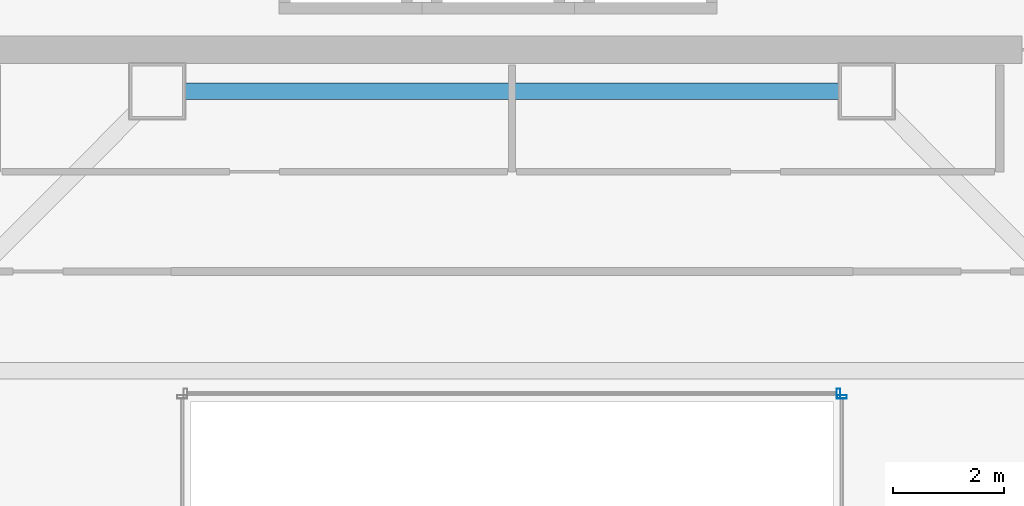
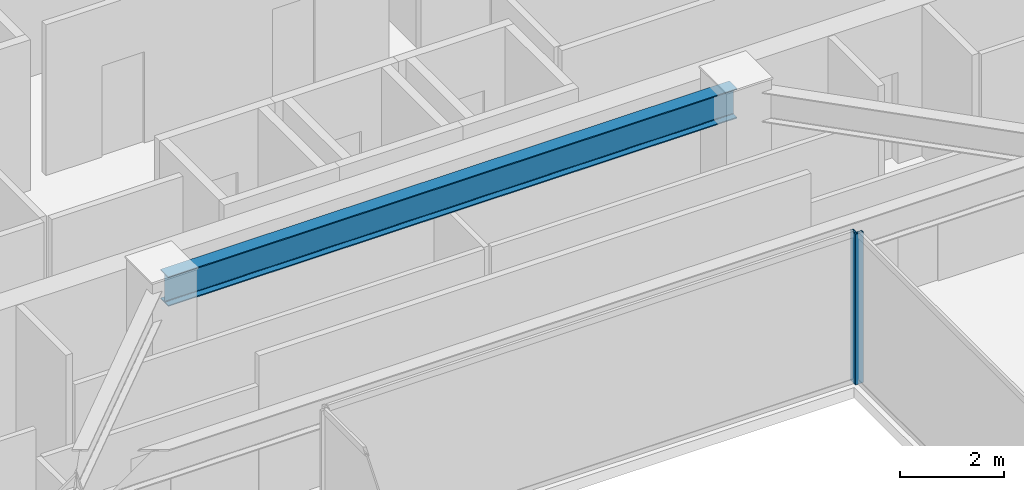
# One storey, part 14 of 35: 2 members, 1 beam, 2 elements without a shape of their own.
"""IFC4 building model written with IfcOpenShell, lengths in metres."""

from ifc_helpers import new_model, si_unit, direction, frame, origin, origin_2d, place, context, subcontext, project, spatial, hollow_rectangle, i_section, extrude, material, material_profile, profile_set, type_object, element, aggregate, save


model = new_model("IFC4")

# Units and contexts
model_context = context("Model", 3, precision=1e-05, world=origin(), true_north=direction((0.0, 1.0)))
body_context = subcontext(model_context, "Body", "Model", "MODEL_VIEW")
ifc_project = project(units=[si_unit("LENGTHUNIT", "METRE"), si_unit("AREAUNIT", "SQUARE_METRE"), si_unit("VOLUMEUNIT", "CUBIC_METRE"), si_unit("PLANEANGLEUNIT", "RADIAN"), si_unit("MASSUNIT", "GRAM", prefix="KILO")], contexts=[model_context])

# Site, building, storey
site_placement = place(None, origin())
site = spatial("IfcSite", under=ifc_project, at=site_placement, CompositionType="ELEMENT")
building_placement = place(site_placement, origin())
building = spatial("IfcBuilding", under=site, at=building_placement, Name="Saevonmaru Cultural Tower", CompositionType="ELEMENT")
storey_placement = place(building_placement, frame((0.0, 0.0, 179.0)))
storey = spatial("IfcBuildingStorey", under=building, at=storey_placement, Name="L40", CompositionType="ELEMENT", Elevation=179.0)

# Beam
ifc_material_1 = material(Name="Steel SM355", Category="steel")
ifc_material_profile_1 = material_profile(ifc_material_1, i_section(OverallWidth=0.300048828125, OverallDepth=0.699951171875, WebThickness=0.012939453125, FlangeThickness=0.02392578125, FilletRadius=0.02587890625, at=origin_2d()), Name="H-700x300x13x24")
ifc_profile_set_1 = profile_set([ifc_material_profile_1], Name="Steel SM355")
beam_type = type_object("IfcBeamType", Name="BM-G-H700", PredefinedType="BEAM", material=ifc_profile_set_1)
beam_placement = place(storey_placement, frame((23.659912109375, 42.39990234375, 3.199951171875), z_axis=(1.0, 0.0, 0.0), x_axis=(0.0, 1.0, 0.0)))
element("IfcBeam", 1, at=beam_placement, inside=storey, type_object=beam_type, Name="L40 Core South Girder 3", PredefinedType="BEAM", context=body_context, shape_type="SweptSolid", body=[
    extrude(i_section(OverallWidth=0.300048828125, OverallDepth=0.699951171875, WebThickness=0.012939453125, FlangeThickness=0.02392578125, FilletRadius=0.02587890625, at=origin_2d()), origin(), (0.0, 0.0, 1.0), 12.68017578125),
])

# Curtain wall, member
ifc_material_2 = material(Name="Satin Bronze Anodised Aluminium", Category="aluminium")
curtain_wall_type = type_object("IfcCurtainWallType", Name="CW-ATR-GLZ", PredefinedType="NOTDEFINED", material=ifc_material_2)
curtain_wall_1_placement = place(storey_placement, origin())
curtain_wall_1 = element("IfcCurtainWall", 2, at=curtain_wall_1_placement, inside=storey, type_object=curtain_wall_type, Name="L40 Vertical Atrium Glazed Smoke Screen 2", PredefinedType="NOTDEFINED")
ifc_material_profile_2 = material_profile(ifc_material_2, hollow_rectangle(XDim=0.06494140625, YDim=0.179931640625, WallThickness=0.00390625, at=origin_2d()), Name="ALU-MULL-180x65x4")
ifc_profile_set_2 = profile_set([ifc_material_profile_2], Name="Satin Bronze Anodised Aluminium")
member_type = type_object("IfcMemberType", Name="ML-CW-INT-180x65", PredefinedType="MULLION", material=ifc_profile_set_2)
member_1_placement = place(storey_placement, frame((35.949951171875, 36.889892578125, 0.0), z_axis=(0.0, 0.0, 1.0), x_axis=(0.0, 1.0, 0.0)))
member_1 = element("IfcMember", 3, at=member_1_placement, type_object=member_type, Name="CW-ATR-L40-2 mullion 2", PredefinedType="MULLION", context=body_context, shape_type="SweptSolid", body=[
    extrude(hollow_rectangle(XDim=0.06494140625, YDim=0.179931640625, WallThickness=0.00390625, at=origin_2d()), origin(), (0.0, 0.0, 1.0), 3.550048828125),
])
aggregate(curtain_wall_1, [member_1])

curtain_wall_2_placement = place(storey_placement, origin())
curtain_wall_2 = element("IfcCurtainWall", 4, at=curtain_wall_2_placement, inside=storey, type_object=curtain_wall_type, Name="L40 Vertical Atrium Glazed Smoke Screen 3", PredefinedType="NOTDEFINED")
member_2_placement = place(storey_placement, frame((35.889892578125, 36.949951171875, 0.0), z_axis=(0.0, 0.0, 1.0), x_axis=(-1.0, 0.0, 0.0)))
member_2 = element("IfcMember", 5, at=member_2_placement, type_object=member_type, Name="CW-ATR-L40-3 mullion 1", PredefinedType="MULLION", context=body_context, shape_type="SweptSolid", body=[
    extrude(hollow_rectangle(XDim=0.06494140625, YDim=0.179931640625, WallThickness=0.00390625, at=origin_2d()), origin(), (0.0, 0.0, 1.0), 3.550048828125),
])
aggregate(curtain_wall_2, [member_2])

save(model, "model.ifc")
